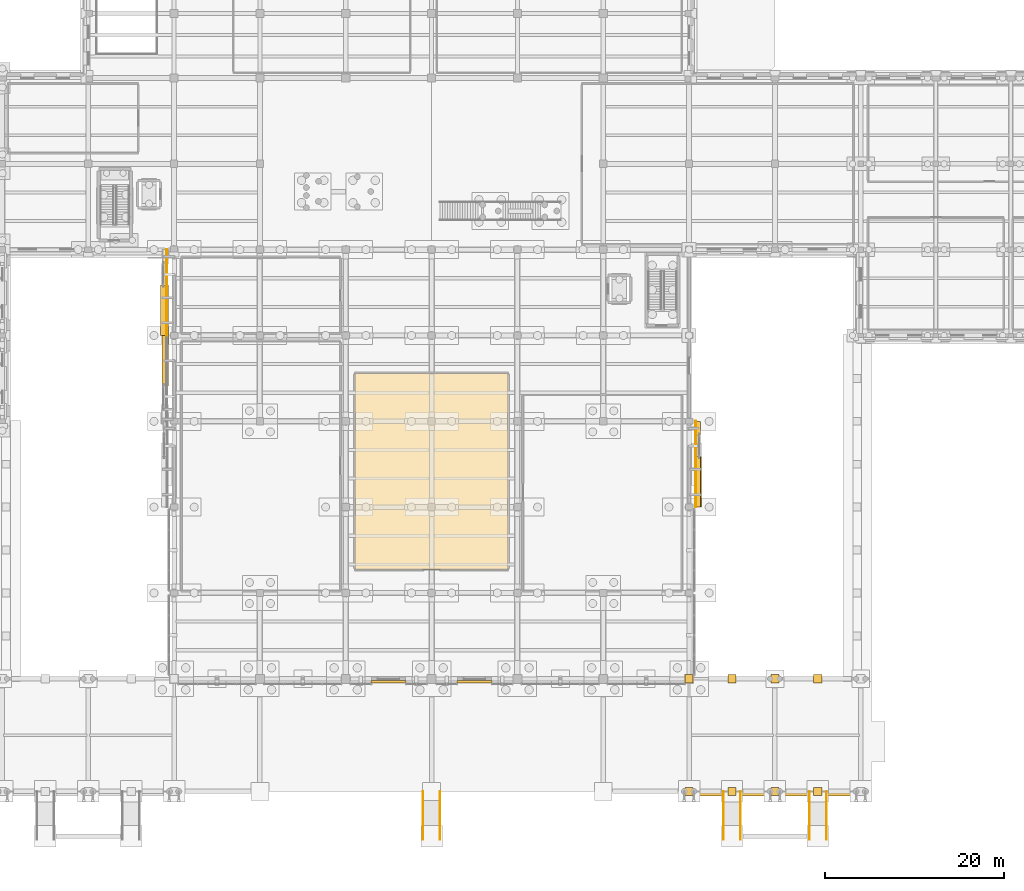
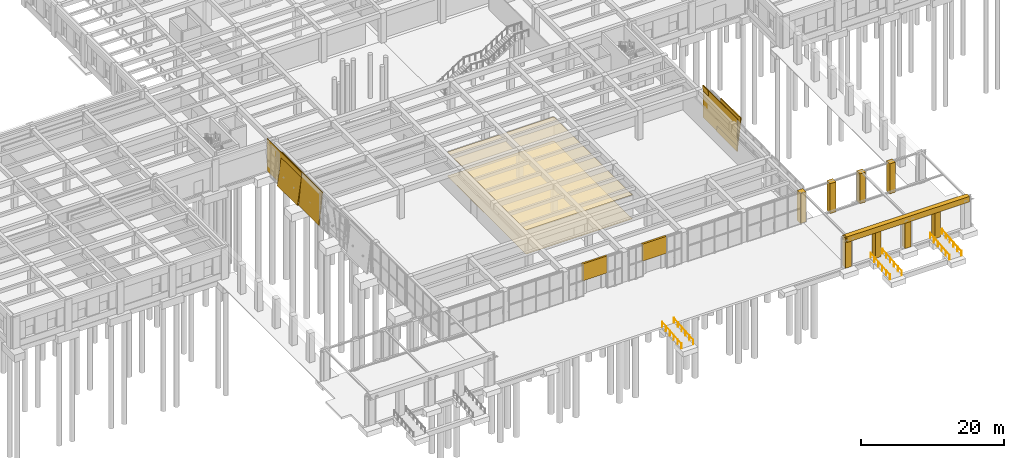
# One storey, part 41 of 51: 19 coverings, 6 railings.
"""IFC4 building model written with IfcOpenShell, lengths in metres."""

from ifc_helpers import new_model, si_unit, direction, frame, origin, origin_2d, place, context, subcontext, project, spatial, polyline, rectangle, circle, outline, extrude, material, layer, layer_set, type_object, element, save


model = new_model("IFC4")

# Units and contexts
model_context = context("Model", 3, precision=1e-05, world=origin(), true_north=direction((0.0, 1.0)))
body_context = subcontext(model_context, "Body", "Model", "MODEL_VIEW")
ifc_project = project(units=[si_unit("LENGTHUNIT", "METRE"), si_unit("AREAUNIT", "SQUARE_METRE"), si_unit("VOLUMEUNIT", "CUBIC_METRE"), si_unit("PLANEANGLEUNIT", "RADIAN"), si_unit("MASSUNIT", "GRAM", prefix="KILO")], contexts=[model_context])

# Site, building, storey
site_placement = place(None, origin())
site = spatial("IfcSite", under=ifc_project, at=site_placement, CompositionType="ELEMENT")
building_placement = place(site_placement, origin())
building = spatial("IfcBuilding", under=site, at=building_placement, Name="Bempovik Park Faculty of Sciences", CompositionType="ELEMENT")
storey_placement = place(building_placement, origin())
storey = spatial("IfcBuildingStorey", under=building, at=storey_placement, Name="L00", CompositionType="ELEMENT", Elevation=0.0)

# Coverings
ifc_material_1 = material(Name="Acoustic mineral ceiling tile")
ifc_layer_1 = layer(ifc_material_1, 0.0400390625)
ifc_layer_set_1 = layer_set([ifc_layer_1], Name="Acoustic mineral ceiling tile")
covering_type_1 = type_object("IfcCoveringType", Name="CE-01 Acoustic Ceiling 40mm", PredefinedType="CEILING", material=ifc_layer_set_1)
covering_1_placement = place(storey_placement, frame((0.0, 0.0, 4.080078125)))
element("IfcCovering", 1, at=covering_1_placement, inside=storey, type_object=covering_type_1, Name="L00 Central Colloquium Lecture Theatre Acoustic Ceiling", PredefinedType="CEILING", context=body_context, shape_type="SweptSolid", body=[
    extrude(outline(polyline([(80.22998046875, 32.030029296875), (97.3701171875, 32.030029296875), (97.3701171875, 53.969970703125), (80.22998046875, 53.969970703125), (80.22998046875, 32.030029296875)])), origin(), (0.0, 0.0, 1.0), 0.0400390625),
])
ifc_material_2 = material(Name="White reconstituted limestone precast C40/50", Category="masonry")
ifc_layer_2 = layer(ifc_material_2, 0.1201171875)
ifc_layer_set_2 = layer_set([ifc_layer_2], Name="White reconstituted limestone precast C40/50")
covering_type_2 = type_object("IfcCoveringType", Name="CL-01 Crystal Limestone Facet 120mm", PredefinedType="CLADDING", material=ifc_layer_set_2)
covering_2_placement = place(storey_placement, frame((118.364501953125, 43.800048828125, -0.0400390625), z_axis=(0.0, 0.0, 1.0), x_axis=(1.0, 0.0, 0.0)))
element("IfcCovering", 2, at=covering_2_placement, inside=storey, type_object=covering_type_2, Name="L00 White Crystal Seam Backing 1176-390", PredefinedType="CLADDING", context=body_context, shape_type="SweptSolid", body=[
    extrude(rectangle(XDim=0.10009765625, YDim=9.679931640625, at=origin_2d()), origin(), (0.0, 0.0, 1.0), 5.47998046875),
])
covering_3_placement = place(storey_placement, frame((118.280029296875, 41.822509765625, -0.020751953125), z_axis=(0.118403968307, 0.0, 0.992965508107), x_axis=(0.0, 1.0, 0.0)))
element("IfcCovering", 3, at=covering_3_placement, inside=storey, type_object=covering_type_2, Name="L00 Tilted Crystal Limestone Facet FAC-CRYS-L00-1176-390", PredefinedType="CLADDING", context=body_context, shape_type="SweptSolid", body=[
    extrude(rectangle(XDim=5.64501953125, YDim=0.139892578125, at=origin_2d()), origin(), (0.0, 0.0, 1.0), 5.47998046875),
])
covering_4_placement = place(storey_placement, frame((118.7880859375, 47.802490234375, -0.029296875), z_axis=(-0.088894296866, 0.0, 0.996041065411), x_axis=(0.0, 1.0, 0.0)))
element("IfcCovering", 4, at=covering_4_placement, inside=storey, type_object=covering_type_2, Name="L00 Counter-Tilted Crystal Facet FAC-CRYS-L00-1176-390-R", PredefinedType="CLADDING", context=body_context, shape_type="SweptSolid", body=[
    extrude(rectangle(XDim=1.594970703125, YDim=0.139892578125, at=origin_2d()), origin(), (0.0, 0.0, 1.0), 5.47998046875),
])
for number, where, z_axis, x_axis, name in (
    (5, (84.0, 19.47998046875, 2.5), (0.0, 0.0, 1.0), (1.0, 0.0, 0.0), "Entrance Portal White Stone Transom 792"),
    (6, (93.60009765625, 19.47998046875, 2.5), (0.0, 0.0, 1.0), (1.0, 0.0, 0.0), "Entrance Portal White Stone Transom 888"),
):
    element("IfcCovering", number, at=place(storey_placement, frame(where, z_axis=z_axis, x_axis=x_axis)), inside=storey, type_object=covering_type_2, Name=name, PredefinedType="CLADDING", context=body_context, shape_type="SweptSolid", body=[
        extrude(rectangle(XDim=3.89990234375, YDim=0.300048828125, at=origin_2d()), origin(), (0.0, 0.0, 1.0), 2.89990234375),
    ])
covering_5_placement = place(storey_placement, frame((58.745361328125, 55.37744140625, -0.026611328125), z_axis=(0.099319749744, 0.0, 0.995055569961), x_axis=(0.0, 1.0, 0.0)))
element("IfcCovering", 7, at=covering_5_placement, inside=storey, type_object=covering_type_2, Name="L00 Counter-Tilted Crystal Facet FAC-CRYS-L00-600-486-R", PredefinedType="CLADDING", context=body_context, shape_type="SweptSolid", body=[
    extrude(rectangle(XDim=5.64501953125, YDim=0.139892578125, at=origin_2d()), origin(), (0.0, 0.0, 1.0), 5.47998046875),
])
covering_6_placement = place(storey_placement, frame((59.1787109375, 63.0, -0.0400390625), z_axis=(0.0, 0.0, 1.0), x_axis=(1.0, 0.0, 0.0)))
element("IfcCovering", 8, at=covering_6_placement, inside=storey, type_object=covering_type_2, Name="L00 White Crystal Seam Backing 600-582", PredefinedType="CLADDING", context=body_context, shape_type="SweptSolid", body=[
    extrude(rectangle(XDim=0.10009765625, YDim=9.679931640625, at=origin_2d()), origin(), (0.0, 0.0, 1.0), 5.47998046875),
])
covering_7_placement = place(storey_placement, frame((58.557373046875, 61.0224609375, -0.013427734375), z_axis=(0.13917310096, 0.0, 0.990268068742), x_axis=(0.0, 1.0, 0.0)))
element("IfcCovering", 9, at=covering_7_placement, inside=storey, type_object=covering_type_2, Name="L00 Tilted Crystal Limestone Facet FAC-CRYS-L00-600-582", PredefinedType="CLADDING", context=body_context, shape_type="SweptSolid", body=[
    extrude(rectangle(XDim=5.64501953125, YDim=0.139892578125, at=origin_2d()), origin(), (0.0, 0.0, 1.0), 5.47998046875),
])
ifc_layer_3 = layer(ifc_material_2, 0.239990234375)
ifc_layer_set_3 = layer_set([ifc_layer_3], Name="White reconstituted limestone precast C40/50")
covering_type_3 = type_object("IfcCoveringType", Name="CL-03 Classical Fluted Limestone Pilaster 240mm", PredefinedType="CLADDING", material=ifc_layer_set_3)
for number, where, z_axis, x_axis, name in (
    (10, (117.60009765625, 7.199951171875, 0.0), (0.0, 0.0, 1.0), (1.0, 0.0, 0.0), "Classical Park Colonnade Stone Pier COLE (117.6,7.2)"),
    (11, (117.60009765625, 19.800048828125, 0.0), (0.0, 0.0, 1.0), (1.0, 0.0, 0.0), "Classical Park Colonnade Stone Pier COLE (117.6,19.8)"),
    (12, (122.39990234375, 7.199951171875, 0.0), (0.0, 0.0, 1.0), (1.0, 0.0, 0.0), "Classical Park Colonnade Stone Pier COLE (122.4,7.2)"),
    (13, (122.39990234375, 19.800048828125, 0.0), (0.0, 0.0, 1.0), (1.0, 0.0, 0.0), "Classical Park Colonnade Stone Pier COLE (122.4,19.8)"),
    (14, (127.199951171875, 7.199951171875, 0.0), (0.0, 0.0, 1.0), (1.0, 0.0, 0.0), "Classical Park Colonnade Stone Pier COLE (127.2,7.2)"),
    (15, (127.199951171875, 19.800048828125, 0.0), (0.0, 0.0, 1.0), (1.0, 0.0, 0.0), "Classical Park Colonnade Stone Pier COLE (127.2,19.8)"),
    (16, (132.0, 7.199951171875, 0.0), (0.0, 0.0, 1.0), (1.0, 0.0, 0.0), "Classical Park Colonnade Stone Pier COLE (132.0,7.2)"),
    (17, (132.0, 19.800048828125, 0.0), (0.0, 0.0, 1.0), (1.0, 0.0, 0.0), "Classical Park Colonnade Stone Pier COLE (132.0,19.8)"),
):
    element("IfcCovering", number, at=place(storey_placement, frame(where, z_axis=z_axis, x_axis=x_axis)), inside=storey, type_object=covering_type_3, Name=name, PredefinedType="CLADDING", context=body_context, shape_type="SweptSolid", body=[
        extrude(rectangle(XDim=0.919921875, YDim=0.919921875, at=origin_2d()), origin(), (0.0, 0.0, 1.0), 5.10009765625),
    ])
covering_8_placement = place(storey_placement, frame((127.199951171875, 7.050048828125, 4.375), z_axis=(0.0, 0.0, 1.0), x_axis=(1.0, 0.0, 0.0)))
element("IfcCovering", 18, at=covering_8_placement, inside=storey, type_object=covering_type_3, Name="Classical Park Colonnade Architrave & Frieze COLE", PredefinedType="CLADDING", context=body_context, shape_type="SweptSolid", body=[
    extrude(rectangle(XDim=19.800048828125, YDim=0.75, at=origin_2d()), origin(), (0.0, 0.0, 1.0), 0.949951171875),
])
ifc_material_3 = material(Name="Polished mineral terrazzo flooring")
ifc_layer_4 = layer(ifc_material_3, 0.030029296875)
ifc_layer_set_4 = layer_set([ifc_layer_4], Name="Polished mineral terrazzo flooring")
covering_type_4 = type_object("IfcCoveringType", Name="FL-01 Terrazzo Flooring 30mm", PredefinedType="FLOORING", material=ifc_layer_set_4)
covering_9_placement = place(storey_placement, origin())
element("IfcCovering", 19, at=covering_9_placement, inside=storey, type_object=covering_type_4, Name="L00 Central Colloquium Lecture Theatre Terrazzo Flooring", PredefinedType="FLOORING", context=body_context, shape_type="SweptSolid", body=[
    extrude(outline(polyline([(80.22998046875, 32.030029296875), (97.3701171875, 32.030029296875), (97.3701171875, 53.969970703125), (80.22998046875, 53.969970703125), (80.22998046875, 32.030029296875)])), origin(), (0.0, 0.0, 1.0), 0.030029296875),
])

# Railings
ifc_material_4 = material(Name="Anodised architectural bronze")
railing_type = type_object("IfcRailingType", Name="HR-01 Wall Handrail 900mm", PredefinedType="HANDRAIL", material=ifc_material_4)
for number, where, name in (
    (20, (87.85009765625, 1.800048828125, -0.449951171875), "Accessible Ramp Handrail RMP-PED-05-W"),
    (21, (89.75, 1.800048828125, -0.449951171875), "Accessible Ramp Handrail RMP-PED-05-E"),
    (22, (121.449951171875, 1.800048828125, -0.449951171875), "Accessible Ramp Handrail RMP-PED-03-W"),
    (23, (123.35009765625, 1.800048828125, -0.449951171875), "Accessible Ramp Handrail RMP-PED-03-E"),
    (24, (131.050048828125, 1.800048828125, -0.449951171875), "Accessible Ramp Handrail RMP-PED-04-W"),
    (25, (132.949951171875, 1.800048828125, -0.449951171875), "Accessible Ramp Handrail RMP-PED-04-E"),
):
    element("IfcRailing", number, at=place(storey_placement, frame(where)), inside=storey, type_object=railing_type, Name=name, PredefinedType="HANDRAIL", context=body_context, shape_type="SweptSolid", body=[
        extrude(circle(Radius=0.02392578125, at=origin_2d()), frame((0.0, 0.0, 0.8759765625), z_axis=(0.0, 0.996546379678, 0.083038022323), x_axis=(-1.0, 0.0, 0.0)), (0.0, 0.0, 1.0), 5.418701171875),
        extrude(circle(Radius=0.02099609375, at=origin_2d()), origin(), (0.0, 0.0, 1.0), 0.851806640625),
        extrude(circle(Radius=0.02099609375, at=origin_2d()), frame((0.0, 1.080078125, 0.090087890625)), (0.0, 0.0, 1.0), 0.851806640625),
        extrude(circle(Radius=0.02099609375, at=origin_2d()), frame((0.0, 2.159912109375, 0.179931640625)), (0.0, 0.0, 1.0), 0.851806640625),
        extrude(circle(Radius=0.02099609375, at=origin_2d()), frame((0.0, 3.239990234375, 0.27001953125)), (0.0, 0.0, 1.0), 0.851806640625),
        extrude(circle(Radius=0.02099609375, at=origin_2d()), frame((0.0, 4.31982421875, 0.35986328125)), (0.0, 0.0, 1.0), 0.851806640625),
        extrude(circle(Radius=0.02099609375, at=origin_2d()), frame((0.0, 5.39990234375, 0.449951171875)), (0.0, 0.0, 1.0), 0.851806640625),
    ])

save(model, "model.ifc")
